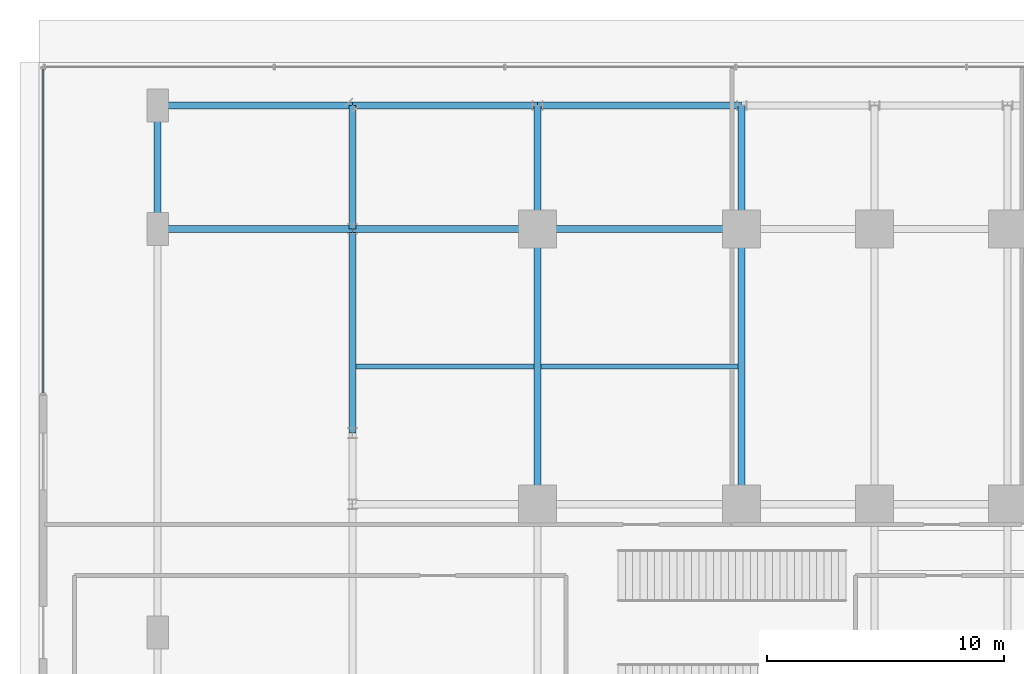
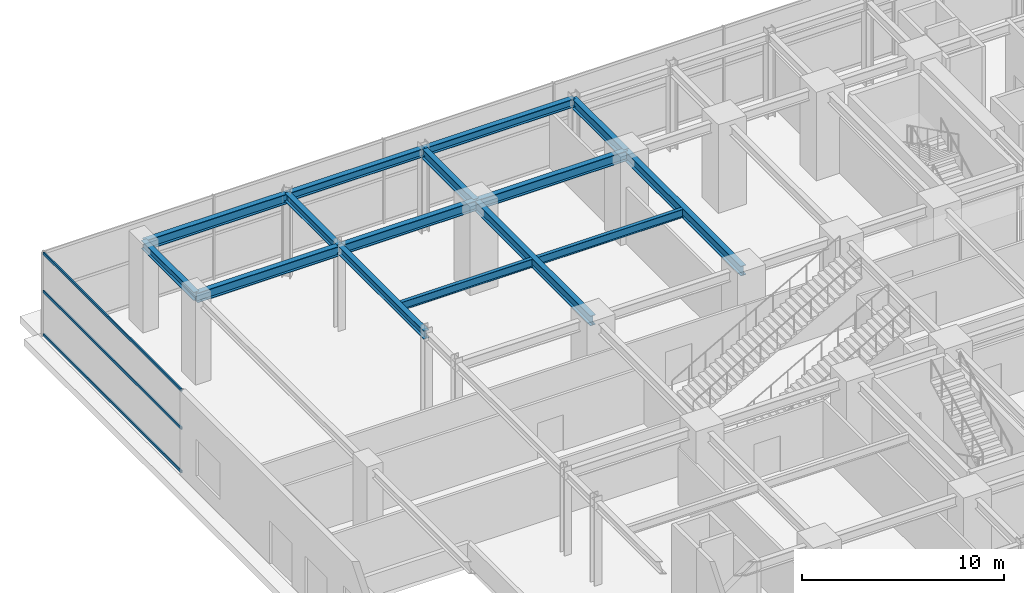
# One storey, part 12 of 29: 15 beams, 3 members, 1 element without a shape of its own.
"""IFC4 building model written with IfcOpenShell, lengths in metres."""

from ifc_helpers import new_model, si_unit, direction, frame, origin, origin_2d, place, context, subcontext, project, spatial, hollow_rectangle, i_section, extrude, source, transform, mapped, material, material_profile, profile_set, type_object, element, aggregate, save


model = new_model("IFC4")

# Units and contexts
model_context = context("Model", 3, precision=1e-05, world=origin(), true_north=direction((0.0, 1.0)))
body_context = subcontext(model_context, "Body", "Model", "MODEL_VIEW")
ifc_project = project(units=[si_unit("LENGTHUNIT", "METRE"), si_unit("AREAUNIT", "SQUARE_METRE"), si_unit("VOLUMEUNIT", "CUBIC_METRE"), si_unit("PLANEANGLEUNIT", "RADIAN"), si_unit("MASSUNIT", "GRAM", prefix="KILO")], contexts=[model_context])

# Site, building, storey
site_placement = place(None, origin())
site = spatial("IfcSite", under=ifc_project, at=site_placement, CompositionType="ELEMENT")
building_placement = place(site_placement, origin())
building = spatial("IfcBuilding", under=site, at=building_placement, Name="Nahalor Promenade Grand Hotel", CompositionType="ELEMENT")
storey_placement = place(building_placement, origin())
storey = spatial("IfcBuildingStorey", under=building, at=storey_placement, Name="L00", CompositionType="ELEMENT", Elevation=0.0)

# Beams
ifc_material_1 = material(Name="Steel S355JR", Category="steel")
ifc_material_profile_1 = material_profile(ifc_material_1, i_section(OverallWidth=0.3, OverallDepth=0.6, WebThickness=0.0155, FlangeThickness=0.03, at=origin_2d()), Name="HEB 600")
ifc_profile_set_1 = profile_set([ifc_material_profile_1], Name="Steel S355JR")
beam_type_1 = type_object("IfcBeamType", Name="Beam-Girder-HEB600", PredefinedType="BEAM", material=ifc_profile_set_1)
shared_shape_1 = source(origin(), body_context, "Body", "SweptSolid", [
    extrude(i_section(OverallWidth=0.3, OverallDepth=0.6, WebThickness=0.0155, FlangeThickness=0.03, at=origin_2d()), origin(), (0.0, 0.0, 1.0), 8.199951171875),
])
for number, where, z_axis, x_axis, name in (
    (1, (-33.0, 17.0, 4.780029296875), (1.0, 0.0, 0.0), (0.0, 1.0, 0.0), "BM-L00-GX-3-0"),
    (2, (-24.800048828125, 22.199951171875, 4.780029296875), (-1.0, 0.0, 0.0), (0.0, -1.0, 0.0), "BM-L00-TIE-PW-+22"),
):
    element("IfcBeam", number, at=place(storey_placement, frame(where, z_axis=z_axis, x_axis=x_axis)), inside=storey, type_object=beam_type_1, Name=name, PredefinedType="BEAM", context=body_context, shape_type="MappedRepresentation", body=[
        mapped(shared_shape_1, transform((0.0, 0.0, 0.0), scale=1.0)),
    ])
shared_shape_2 = source(origin(), body_context, "Body", "SweptSolid", [
    extrude(i_section(OverallWidth=0.3, OverallDepth=0.6, WebThickness=0.0155, FlangeThickness=0.03, at=origin_2d()), origin(), (0.0, 0.0, 1.0), 7.800048828125),
])
beam_1_placement = place(storey_placement, frame((-24.800048828125, 17.0, 4.780029296875), z_axis=(1.0, 0.0, 0.0), x_axis=(0.0, 1.0, 0.0)))
element("IfcBeam", 3, at=beam_1_placement, inside=storey, type_object=beam_type_1, Name="BM-L00-GX-3-1", PredefinedType="BEAM", context=body_context, shape_type="MappedRepresentation", body=[
    mapped(shared_shape_2, transform((0.0, 0.0, 0.0), scale=1.0)),
])
shared_shape_3 = source(origin(), body_context, "Body", "SweptSolid", [
    extrude(i_section(OverallWidth=0.3, OverallDepth=0.6, WebThickness=0.0155, FlangeThickness=0.03, at=origin_2d()), origin(), (0.0, 0.0, 1.0), 8.60009765625),
])
beam_2_placement = place(storey_placement, frame((-17.0, 17.0, 4.780029296875), z_axis=(1.0, 0.0, 0.0), x_axis=(0.0, 1.0, 0.0)))
element("IfcBeam", 4, at=beam_2_placement, inside=storey, type_object=beam_type_1, Name="BM-L00-GX-3-2", PredefinedType="BEAM", context=body_context, shape_type="MappedRepresentation", body=[
    mapped(shared_shape_3, transform((0.0, 0.0, 0.0), scale=1.0)),
])
shared_shape_4 = source(origin(), body_context, "Body", "SweptSolid", [
    extrude(i_section(OverallWidth=0.3, OverallDepth=0.6, WebThickness=0.0155, FlangeThickness=0.03, at=origin_2d()), origin(), (0.0, 0.0, 1.0), 5.199951171875),
])
for number, where, z_axis, x_axis, name in (
    (5, (-17.0, 17.0, 4.780029296875), (0.0, 1.0, 0.0), (-1.0, 0.0, 0.0), "BM-L00-GY-0-4"),
    (6, (-8.39990234375, 17.0, 4.780029296875), (0.0, 1.0, 0.0), (-1.0, 0.0, 0.0), "BM-L00-GY-1-4"),
):
    element("IfcBeam", number, at=place(storey_placement, frame(where, z_axis=z_axis, x_axis=x_axis)), inside=storey, type_object=beam_type_1, Name=name, PredefinedType="BEAM", context=body_context, shape_type="MappedRepresentation", body=[
        mapped(shared_shape_4, transform((0.0, 0.0, 0.0), scale=1.0)),
    ])
shared_shape_5 = source(origin(), body_context, "Body", "SweptSolid", [
    extrude(i_section(OverallWidth=0.3, OverallDepth=0.6, WebThickness=0.0155, FlangeThickness=0.03, at=origin_2d()), origin(), (0.0, 0.0, 1.0), 11.60009765625),
])
for number, where, z_axis, x_axis, name in (
    (7, (-17.0, 5.39990234375, 4.780029296875), (0.0, 1.0, 0.0), (-1.0, 0.0, 0.0), "BM-L00-GY-0-3"),
    (8, (-8.39990234375, 5.39990234375, 4.780029296875), (0.0, 1.0, 0.0), (-1.0, 0.0, 0.0), "BM-L00-GY-1-3"),
):
    element("IfcBeam", number, at=place(storey_placement, frame(where, z_axis=z_axis, x_axis=x_axis)), inside=storey, type_object=beam_type_1, Name=name, PredefinedType="BEAM", context=body_context, shape_type="MappedRepresentation", body=[
        mapped(shared_shape_5, transform((0.0, 0.0, 0.0), scale=1.0)),
    ])
ifc_material_profile_2 = material_profile(ifc_material_1, i_section(OverallWidth=0.3, OverallDepth=0.5, WebThickness=0.0145, FlangeThickness=0.028, at=origin_2d()), Name="HEB 500")
ifc_profile_set_2 = profile_set([ifc_material_profile_2], Name="Steel S355JR")
beam_type_2 = type_object("IfcBeamType", Name="Beam-Spandrel-HEB500", PredefinedType="SPANDREL", material=ifc_profile_set_2)
shared_shape_6 = source(origin(), body_context, "Body", "SweptSolid", [
    extrude(i_section(OverallWidth=0.3, OverallDepth=0.5, WebThickness=0.0145, FlangeThickness=0.028, at=origin_2d()), origin(), (0.0, 0.0, 1.0), 8.60009765625),
])
for number, where, z_axis, x_axis, name in (
    (9, (-17.0, 22.199951171875, 4.830078125), (1.0, 0.0, 0.0), (0.0, 1.0, 0.0), "BM-L00-SP-N-0"),
    (10, (-24.800048828125, 8.39990234375, 4.830078125), (0.0, 1.0, 0.0), (-1.0, 0.0, 0.0), "BM-L00-SP-W-4"),
):
    element("IfcBeam", number, at=place(storey_placement, frame(where, z_axis=z_axis, x_axis=x_axis)), inside=storey, type_object=beam_type_2, Name=name, PredefinedType="SPANDREL", context=body_context, shape_type="MappedRepresentation", body=[
        mapped(shared_shape_6, transform((0.0, 0.0, 0.0), scale=1.0)),
    ])
shared_shape_7 = source(origin(), body_context, "Body", "SweptSolid", [
    extrude(i_section(OverallWidth=0.3, OverallDepth=0.5, WebThickness=0.0145, FlangeThickness=0.028, at=origin_2d()), origin(), (0.0, 0.0, 1.0), 7.800048828125),
])
beam_3_placement = place(storey_placement, frame((-17.0, 22.199951171875, 4.830078125), z_axis=(-1.0, 0.0, 0.0), x_axis=(0.0, -1.0, 0.0)))
element("IfcBeam", 11, at=beam_3_placement, inside=storey, type_object=beam_type_2, Name="BM-L00-SPC-NW-1", PredefinedType="SPANDREL", context=body_context, shape_type="MappedRepresentation", body=[
    mapped(shared_shape_7, transform((0.0, 0.0, 0.0), scale=1.0)),
])
shared_shape_8 = source(origin(), body_context, "Body", "SweptSolid", [
    extrude(i_section(OverallWidth=0.3, OverallDepth=0.5, WebThickness=0.0145, FlangeThickness=0.028, at=origin_2d()), origin(), (0.0, 0.0, 1.0), 5.199951171875),
])
for number, where, z_axis, x_axis, name in (
    (12, (-24.800048828125, 22.199951171875, 4.830078125), (0.0, -1.0, 0.0), (1.0, 0.0, 0.0), "BM-L00-SPC-NW-2"),
    (13, (-33.0, 17.0, 4.830078125), (0.0, 1.0, 0.0), (-1.0, 0.0, 0.0), "BM-L00-PW-3"),
):
    element("IfcBeam", number, at=place(storey_placement, frame(where, z_axis=z_axis, x_axis=x_axis)), inside=storey, type_object=beam_type_2, Name=name, PredefinedType="SPANDREL", context=body_context, shape_type="MappedRepresentation", body=[
        mapped(shared_shape_8, transform((0.0, 0.0, 0.0), scale=1.0)),
    ])
ifc_material_profile_3 = material_profile(ifc_material_1, i_section(OverallWidth=0.2, OverallDepth=0.5, WebThickness=0.0102, FlangeThickness=0.016, at=origin_2d()), Name="IPE 500")
ifc_profile_set_3 = profile_set([ifc_material_profile_3], Name="Steel S355JR")
beam_type_3 = type_object("IfcBeamType", Name="Beam-Joist-IPE500", PredefinedType="JOIST", material=ifc_profile_set_3)
shared_shape_9 = source(origin(), body_context, "Body", "SweptSolid", [
    extrude(i_section(OverallWidth=0.2, OverallDepth=0.5, WebThickness=0.0102, FlangeThickness=0.016, at=origin_2d()), origin(), (0.0, 0.0, 1.0), 7.5),
])
beam_4_placement = place(storey_placement, frame((-24.64990234375, 11.199951171875, 4.830078125), z_axis=(1.0, 0.0, 0.0), x_axis=(0.0, 1.0, 0.0)))
element("IfcBeam", 14, at=beam_4_placement, inside=storey, type_object=beam_type_3, Name="BM-L00-JSW-1-0", PredefinedType="JOIST", context=body_context, shape_type="MappedRepresentation", body=[
    mapped(shared_shape_9, transform((0.0, 0.0, 0.0), scale=1.0)),
])
shared_shape_10 = source(origin(), body_context, "Body", "SweptSolid", [
    extrude(i_section(OverallWidth=0.2, OverallDepth=0.5, WebThickness=0.0102, FlangeThickness=0.016, at=origin_2d()), origin(), (0.0, 0.0, 1.0), 8.300048828125),
])
beam_5_placement = place(storey_placement, frame((-16.85009765625, 11.199951171875, 4.830078125), z_axis=(1.0, 0.0, 0.0), x_axis=(0.0, 1.0, 0.0)))
element("IfcBeam", 15, at=beam_5_placement, inside=storey, type_object=beam_type_3, Name="BM-L00-JSW-1-1", PredefinedType="JOIST", context=body_context, shape_type="MappedRepresentation", body=[
    mapped(shared_shape_10, transform((0.0, 0.0, 0.0), scale=1.0)),
])

# Curtain wall, members
ifc_material_2 = material(Name="Anodised Bronze Aluminium EN AW-6063 T6", Category="aluminium")
curtain_wall_type = type_object("IfcCurtainWallType", Name="CW1 Waterfront Podium Bronze Arcade Curtain Wall", PredefinedType="USERDEFINED", material=ifc_material_2)
curtain_wall_placement = place(storey_placement, origin())
curtain_wall = element("IfcCurtainWall", 16, at=curtain_wall_placement, inside=storey, type_object=curtain_wall_type, Name="L00 Curtain Wall CW-L00-W-N", ObjectType="UNITISED_CURTAIN_WALL", PredefinedType="USERDEFINED")
ifc_material_profile_4 = material_profile(ifc_material_2, hollow_rectangle(XDim=0.08, YDim=0.16, WallThickness=0.004, at=origin_2d()), Name="CWT 80x160x4")
ifc_profile_set_4 = profile_set([ifc_material_profile_4], Name="Anodised Bronze Aluminium EN AW-6063 T6")
member_type = type_object("IfcMemberType", Name="CWT1 Podium Bronze Transom 80x160", PredefinedType="USERDEFINED", material=ifc_profile_set_4)
shared_shape_11 = source(origin(), body_context, "Body", "SweptSolid", [
    extrude(hollow_rectangle(XDim=0.08, YDim=0.16, WallThickness=0.004, at=origin_2d()), origin(), (0.0, 0.0, 1.0), 13.659912109375),
])
member_1_placement = place(storey_placement, frame((-37.820068359375, 10.080078125, 0.080078125), z_axis=(0.0, 1.0, 0.0), x_axis=(-1.0, 0.0, 0.0)))
member_1 = element("IfcMember", 17, at=member_1_placement, type_object=member_type, Name="CW-L00-W-N Transom 0-0", ObjectType="TRANSOM", PredefinedType="USERDEFINED", context=body_context, shape_type="MappedRepresentation", body=[
    mapped(shared_shape_11, transform((0.0, 0.0, 0.0), scale=1.0)),
])
member_2_placement = place(storey_placement, frame((-37.820068359375, 10.080078125, 2.699951171875), z_axis=(0.0, 1.0, 0.0), x_axis=(-1.0, 0.0, 0.0)))
member_2 = element("IfcMember", 18, at=member_2_placement, type_object=member_type, Name="CW-L00-W-N Transom 0-1", ObjectType="TRANSOM", PredefinedType="USERDEFINED", context=body_context, shape_type="MappedRepresentation", body=[
    mapped(shared_shape_11, transform((0.0, 0.0, 0.0), scale=1.0)),
])
member_3_placement = place(storey_placement, frame((-37.820068359375, 10.080078125, 5.0), z_axis=(0.0, 1.0, 0.0), x_axis=(-1.0, 0.0, 0.0)))
member_3 = element("IfcMember", 19, at=member_3_placement, type_object=member_type, Name="CW-L00-W-N Transom 0-2", ObjectType="TRANSOM", PredefinedType="USERDEFINED", context=body_context, shape_type="MappedRepresentation", body=[
    mapped(shared_shape_11, transform((0.0, 0.0, 0.0), scale=1.0)),
])
aggregate(curtain_wall, [member_1, member_2, member_3])

save(model, "model.ifc")
